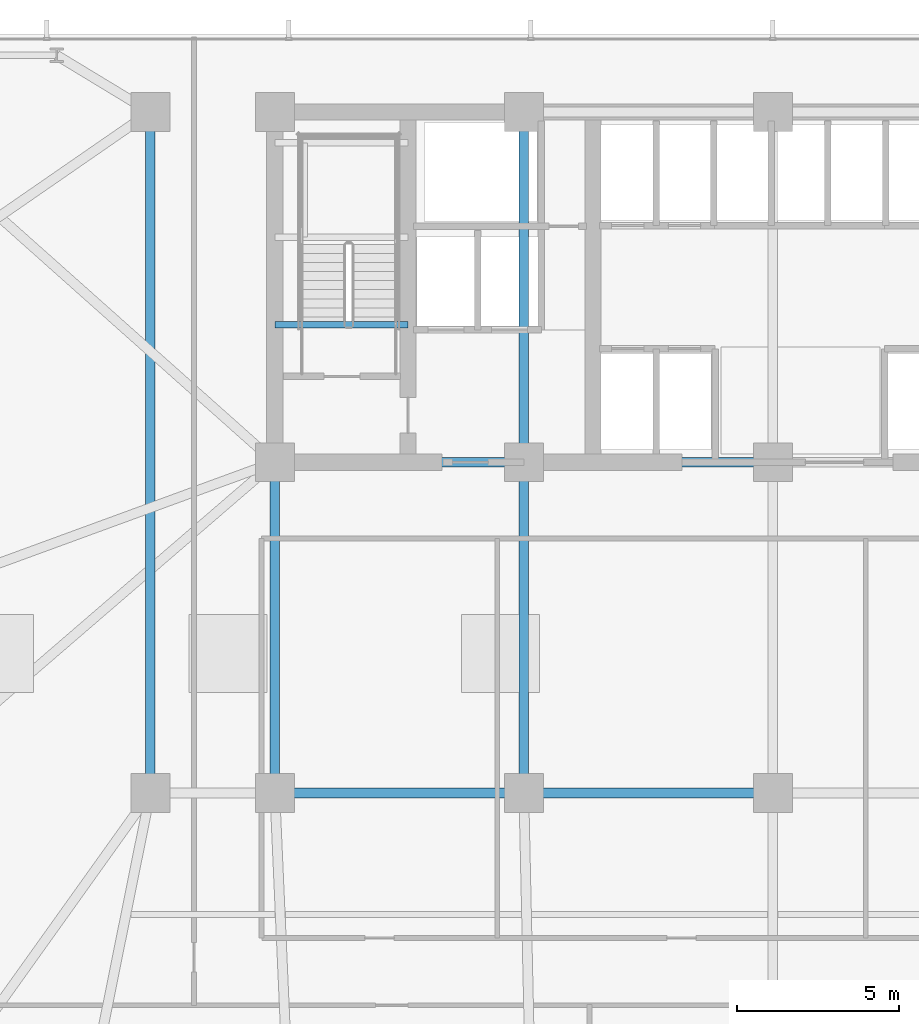
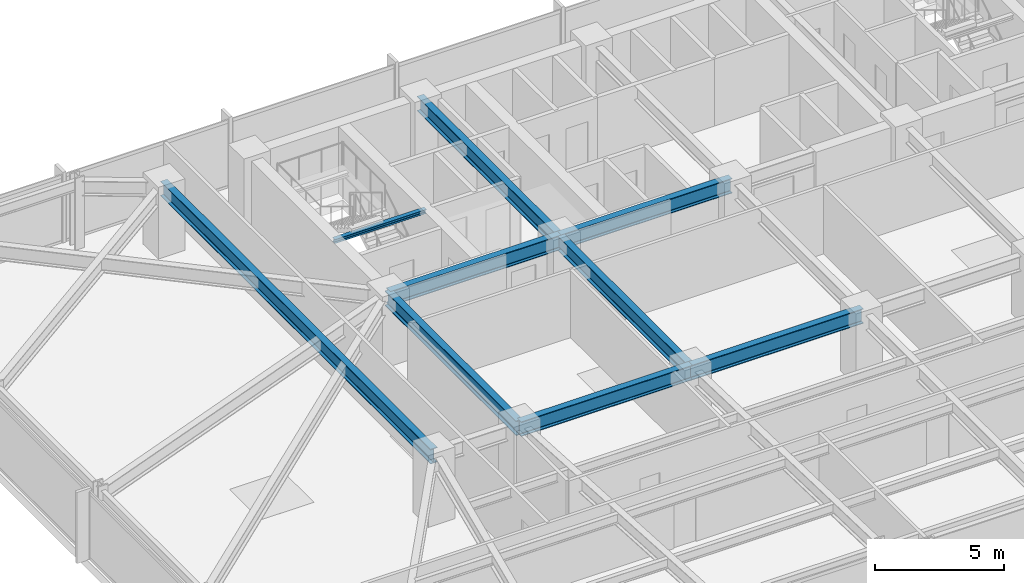
# One storey, part 10 of 31: 9 beams.
"""IFC4 building model written with IfcOpenShell, lengths in metres."""

from ifc_helpers import new_model, si_unit, direction, frame, origin, origin_2d, place, context, subcontext, project, spatial, i_section, extrude, material, material_profile, profile_set, type_object, element, save


model = new_model("IFC4")

# Units and contexts
model_context = context("Model", 3, precision=1e-05, world=origin(), true_north=direction((0.0, 1.0)))
body_context = subcontext(model_context, "Body", "Model", "MODEL_VIEW")
ifc_project = project(units=[si_unit("LENGTHUNIT", "METRE"), si_unit("AREAUNIT", "SQUARE_METRE"), si_unit("VOLUMEUNIT", "CUBIC_METRE"), si_unit("PLANEANGLEUNIT", "RADIAN"), si_unit("MASSUNIT", "GRAM", prefix="KILO")], contexts=[model_context])

# Site, building, storey
site_placement = place(None, origin())
site = spatial("IfcSite", under=ifc_project, at=site_placement, CompositionType="ELEMENT")
building_placement = place(site_placement, origin())
building = spatial("IfcBuilding", under=site, at=building_placement, Name="Yelkora Congress Tower", CompositionType="ELEMENT")
storey_placement = place(building_placement, frame((0.0, 0.0, 30.39990234375)))
storey = spatial("IfcBuildingStorey", under=building, at=storey_placement, Name="L06", CompositionType="ELEMENT", Elevation=30.39990234375)

# Beams
ifc_material = material(Name="Steel S355J2", Category="steel")
ifc_material_profile_1 = material_profile(ifc_material, i_section(OverallWidth=0.300048828125, OverallDepth=0.699951171875, WebThickness=0.01708984375, FlangeThickness=0.031982421875, FilletRadius=0.027099609375, at=origin_2d()), Name="HEB 700")
ifc_profile_set_1 = profile_set([ifc_material_profile_1], Name="Steel S355J2")
beam_type_1 = type_object("IfcBeamType", Name="BM-GIRD-HEB700", PredefinedType="BEAM", material=ifc_profile_set_1)
for number, where, z_axis, x_axis, name in (
    (1, (23.0400390625, 25.199951171875, 2.830078125), (1.0, 0.0, 0.0), (0.0, 1.0, 0.0), "L06 Spine Grid D Girder 2"),
    (2, (30.719970703125, 25.199951171875, 2.830078125), (1.0, 0.0, 0.0), (0.0, 1.0, 0.0), "L06 Spine Grid D Girder 3"),
    (3, (23.0400390625, 35.39990234375, 2.830078125), (1.0, 0.0, 0.0), (0.0, 1.0, 0.0), "L06 Core South Girder 1"),
    (4, (30.719970703125, 35.39990234375, 2.830078125), (1.0, 0.0, 0.0), (0.0, 1.0, 0.0), "L06 Core South Girder 2"),
):
    element("IfcBeam", number, at=place(storey_placement, frame(where, z_axis=z_axis, x_axis=x_axis)), inside=storey, type_object=beam_type_1, Name=name, PredefinedType="BEAM", context=body_context, shape_type="SweptSolid", body=[
        extrude(i_section(OverallWidth=0.300048828125, OverallDepth=0.699951171875, WebThickness=0.01708984375, FlangeThickness=0.031982421875, FilletRadius=0.027099609375, at=origin_2d()), origin(), (0.0, 0.0, 1.0), 7.679931640625),
    ])
for number, where, z_axis, x_axis, name in (
    (5, (23.0400390625, 25.199951171875, 2.830078125), (0.0, 1.0, 0.0), (-1.0, 0.0, 0.0), "L06 Core Tie Girder MC-D1"),
    (6, (30.719970703125, 25.199951171875, 2.830078125), (0.0, 1.0, 0.0), (-1.0, 0.0, 0.0), "L06 Core Tie Girder MC-D2"),
):
    element("IfcBeam", number, at=place(storey_placement, frame(where, z_axis=z_axis, x_axis=x_axis)), inside=storey, type_object=beam_type_1, Name=name, PredefinedType="BEAM", context=body_context, shape_type="SweptSolid", body=[
        extrude(i_section(OverallWidth=0.300048828125, OverallDepth=0.699951171875, WebThickness=0.01708984375, FlangeThickness=0.031982421875, FilletRadius=0.027099609375, at=origin_2d()), origin(), (0.0, 0.0, 1.0), 10.199951171875),
    ])
beam_1_placement = place(storey_placement, frame((30.719970703125, 35.39990234375, 2.830078125), z_axis=(0.0, 1.0, 0.0), x_axis=(-1.0, 0.0, 0.0)))
element("IfcBeam", 7, at=beam_1_placement, inside=storey, type_object=beam_type_1, Name="L06 Core Tie Girder MC-S2", PredefinedType="BEAM", context=body_context, shape_type="SweptSolid", body=[
    extrude(i_section(OverallWidth=0.300048828125, OverallDepth=0.699951171875, WebThickness=0.01708984375, FlangeThickness=0.031982421875, FilletRadius=0.027099609375, at=origin_2d()), origin(), (0.0, 0.0, 1.0), 10.800048828125),
])
beam_2_placement = place(storey_placement, frame((19.199951171875, 25.199951171875, 2.830078125), z_axis=(0.0, 1.0, 0.0), x_axis=(-1.0, 0.0, 0.0)))
element("IfcBeam", 8, at=beam_2_placement, inside=storey, type_object=beam_type_1, Name="L06 Neck Flank Girder MC-F1", PredefinedType="BEAM", context=body_context, shape_type="SweptSolid", body=[
    extrude(i_section(OverallWidth=0.300048828125, OverallDepth=0.699951171875, WebThickness=0.01708984375, FlangeThickness=0.031982421875, FilletRadius=0.027099609375, at=origin_2d()), origin(), (0.0, 0.0, 1.0), 21.0),
])
ifc_material_profile_2 = material_profile(ifc_material, i_section(OverallWidth=0.199951171875, OverallDepth=0.18994140625, WebThickness=0.006591796875, FlangeThickness=0.010009765625, FilletRadius=0.01806640625, at=origin_2d()), Name="HEA 200")
ifc_profile_set_2 = profile_set([ifc_material_profile_2], Name="Steel S355J2")
beam_type_2 = type_object("IfcBeamType", Name="BM-LAND-HEA200", PredefinedType="BEAM", material=ifc_profile_set_2)
beam_3_placement = place(storey_placement, frame((23.0400390625, 39.639892578125, 2.947509765625), z_axis=(1.0, 0.0, 0.0), x_axis=(0.0, 1.0, 0.0)))
element("IfcBeam", 9, at=beam_3_placement, inside=storey, type_object=beam_type_2, Name="ST-01 L06 Floor Arrival Stringer Header Beam", PredefinedType="BEAM", context=body_context, shape_type="SweptSolid", body=[
    extrude(i_section(OverallWidth=0.199951171875, OverallDepth=0.18994140625, WebThickness=0.006591796875, FlangeThickness=0.010009765625, FilletRadius=0.01806640625, at=origin_2d()), origin(), (0.0, 0.0, 1.0), 4.10986328125),
])

save(model, "model.ifc")
